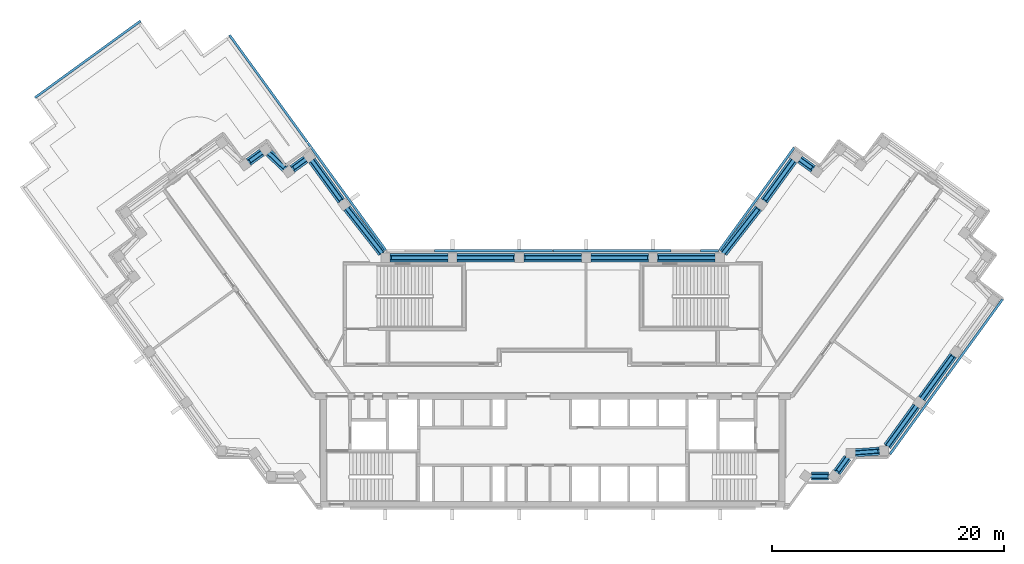
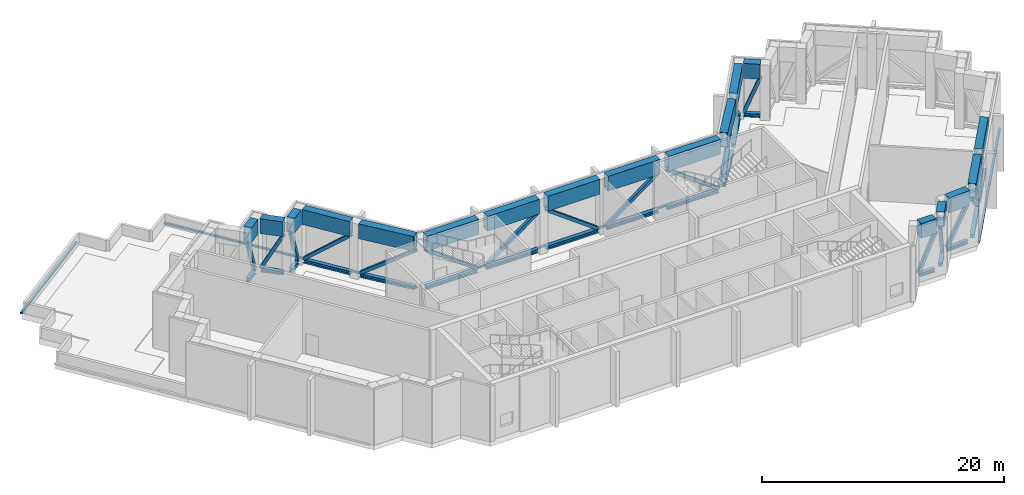
"""IFC4 building model written with IfcOpenShell, lengths in metres."""

from ifc_helpers import new_model, si_unit, direction, frame, origin, origin_2d, place, context, subcontext, project, spatial, rectangle, hollow_rectangle, i_section, extrude, material, material_profile, profile_set, type_object, element, aggregate, save


model = new_model("IFC4")

# Units and contexts
model_context = context("Model", 3, precision=1e-05, world=origin(), true_north=direction((0.0, 1.0)))
body_context = subcontext(model_context, "Body", "Model", "MODEL_VIEW")
ifc_project = project(units=[si_unit("LENGTHUNIT", "METRE"), si_unit("AREAUNIT", "SQUARE_METRE"), si_unit("VOLUMEUNIT", "CUBIC_METRE"), si_unit("PLANEANGLEUNIT", "RADIAN"), si_unit("MASSUNIT", "GRAM", prefix="KILO")], contexts=[model_context])

# Site, building, storey
site_placement = place(None, origin())
site = spatial("IfcSite", under=ifc_project, at=site_placement, CompositionType="ELEMENT")
building_placement = place(site_placement, origin())
building = spatial("IfcBuilding", under=site, at=building_placement, Name="Quipu Civic Tower", CompositionType="ELEMENT")
storey_1_placement = place(building_placement, frame((0.0, 0.0, 242.0)))
storey_1 = spatial("IfcBuildingStorey", under=building, at=storey_1_placement, Name="L57", CompositionType="ELEMENT", Elevation=242.0)

# Beams
ifc_material_1 = material(Name="Steel ASTM A992 Grade 50 (fy 345 MPa)", Category="steel")
ifc_material_profile_1 = material_profile(ifc_material_1, i_section(OverallWidth=0.368896484375, OverallDepth=0.356201171875, WebThickness=0.01123046875, FlangeThickness=0.01806640625, at=origin_2d()), Name="W360x134")
ifc_profile_set_1 = profile_set([ifc_material_profile_1], Name="Steel ASTM A992 Grade 50 (fy 345 MPa)")
beam_type_1 = type_object("IfcBeamType", Name="Belt truss bottom chord W360x134", PredefinedType="BEAM", material=ifc_profile_set_1)
beam_1_placement = place(storey_1_placement, frame((-18.208984375, 15.3984375, 0.278076171875), z_axis=(-0.58812775221, 0.808768042816, 0.0), x_axis=(-0.808768042816, -0.58812775221, 0.0)))
element("IfcBeam", 1, at=beam_1_placement, inside=storey_1, type_object=beam_type_1, Name="Truss bottom chord L57 W-IN-01 to T-Wi.0-W22", PredefinedType="BEAM", context=body_context, shape_type="SweptSolid", body=[
    extrude(i_section(OverallWidth=0.368896484375, OverallDepth=0.356201171875, WebThickness=0.01123046875, FlangeThickness=0.01806640625, at=origin_2d()), origin(), (0.0, 0.0, 1.0), 4.29443359375),
])
beam_2_placement = place(storey_1_placement, frame((-21.293701171875, 18.960205078125, 0.278076171875), z_axis=(-0.809452764948, -0.587184997524, 0.0), x_axis=(0.587184997524, -0.809452764948, 0.0)))
element("IfcBeam", 2, at=beam_2_placement, inside=storey_1, type_object=beam_type_1, Name="Truss bottom chord L57 T-Wi.0-W22 to T-Wi.1-W22", PredefinedType="BEAM", context=body_context, shape_type="SweptSolid", body=[
    extrude(i_section(OverallWidth=0.368896484375, OverallDepth=0.356201171875, WebThickness=0.01123046875, FlangeThickness=0.01806640625, at=origin_2d()), origin(), (0.0, 0.0, 1.0), 1.398193359375),
])
beam_3_placement = place(storey_1_placement, frame((-23.044189453125, 18.184326171875, 0.278076171875), z_axis=(-0.72506883804, 0.688676397232, 0.0), x_axis=(-0.688676397232, -0.72506883804, 0.0)))
element("IfcBeam", 3, at=beam_3_placement, inside=storey_1, type_object=beam_type_1, Name="Truss bottom chord L57 T-Wi.1-W22 to T-Wi.2-W22", PredefinedType="BEAM", context=body_context, shape_type="SweptSolid", body=[
    extrude(i_section(OverallWidth=0.368896484375, OverallDepth=0.356201171875, WebThickness=0.01123046875, FlangeThickness=0.01806640625, at=origin_2d()), origin(), (0.0, 0.0, 1.0), 1.93212890625),
])
beam_4_placement = place(storey_1_placement, frame((-25.0634765625, 19.5595703125, 0.278076171875), z_axis=(-0.808600329101, -0.588358315805, 0.0), x_axis=(0.588358315805, -0.808600329101, 0.0)))
element("IfcBeam", 4, at=beam_4_placement, inside=storey_1, type_object=beam_type_1, Name="Truss bottom chord L57 T-Wi.2-W22 to T-Wi.3-W22", PredefinedType="BEAM", context=body_context, shape_type="SweptSolid", body=[
    extrude(i_section(OverallWidth=0.368896484375, OverallDepth=0.356201171875, WebThickness=0.01123046875, FlangeThickness=0.01806640625, at=origin_2d()), origin(), (0.0, 0.0, 1.0), 1.400146484375),
])
beam_5_placement = place(storey_1_placement, frame((22.2861328125, -8.31494140625, 0.278076171875), z_axis=(1.0, 0.0, 0.0), x_axis=(0.0, 1.0, 0.0)))
element("IfcBeam", 5, at=beam_5_placement, inside=storey_1, type_object=beam_type_1, Name="Truss bottom chord L57 J-Eo.1 to J-Eo.2", PredefinedType="BEAM", context=body_context, shape_type="SweptSolid", body=[
    extrude(i_section(OverallWidth=0.368896484375, OverallDepth=0.356201171875, WebThickness=0.01123046875, FlangeThickness=0.01806640625, at=origin_2d()), origin(), (0.0, 0.0, 1.0), 1.454345703125),
])
beam_6_placement = place(storey_1_placement, frame((24.470458984375, -7.991455078125, 0.278076171875), z_axis=(0.588405601119, 0.808565920981, 0.0), x_axis=(-0.808565920981, 0.588405601119, 0.0)))
element("IfcBeam", 6, at=beam_6_placement, inside=storey_1, type_object=beam_type_1, Name="Truss bottom chord L57 J-Eo.2 to J-Eo.3", PredefinedType="BEAM", context=body_context, shape_type="SweptSolid", body=[
    extrude(i_section(OverallWidth=0.368896484375, OverallDepth=0.356201171875, WebThickness=0.01123046875, FlangeThickness=0.01806640625, at=origin_2d()), origin(), (0.0, 0.0, 1.0), 1.55126953125),
])
beam_7_placement = place(storey_1_placement, frame((26.074462890625, -6.307861328125, 0.278076171875), z_axis=(0.997372997143, 0.072436900614, 0.0), x_axis=(-0.072436900614, 0.997372997143, 0.0)))
element("IfcBeam", 7, at=beam_7_placement, inside=storey_1, type_object=beam_type_1, Name="Truss bottom chord L57 J-Eo.3 to J-Eo.4", PredefinedType="BEAM", context=body_context, shape_type="SweptSolid", body=[
    extrude(i_section(OverallWidth=0.368896484375, OverallDepth=0.356201171875, WebThickness=0.01123046875, FlangeThickness=0.01806640625, at=origin_2d()), origin(), (0.0, 0.0, 1.0), 2.055908203125),
])
beam_8_placement = place(storey_1_placement, frame((28.815673828125, -5.72998046875, 0.278076171875), z_axis=(0.58776850526, 0.809029161541, 0.0), x_axis=(-0.809029161541, 0.58776850526, 0.0)))
element("IfcBeam", 8, at=beam_8_placement, inside=storey_1, type_object=beam_type_1, Name="Truss bottom chord L57 J-Eo.4 to E-OUT-01", PredefinedType="BEAM", context=body_context, shape_type="SweptSolid", body=[
    extrude(i_section(OverallWidth=0.368896484375, OverallDepth=0.356201171875, WebThickness=0.01123046875, FlangeThickness=0.01806640625, at=origin_2d()), origin(), (0.0, 0.0, 1.0), 4.249267578125),
])
beam_9_placement = place(storey_1_placement, frame((31.783447265625, -1.64501953125, 0.278076171875), z_axis=(0.587796098864, 0.809009113768, 0.0), x_axis=(-0.809009113768, 0.587796098864, 0.0)))
element("IfcBeam", 9, at=beam_9_placement, inside=storey_1, type_object=beam_type_1, Name="Truss bottom chord L57 E-OUT-01 to E-OUT-02", PredefinedType="BEAM", context=body_context, shape_type="SweptSolid", body=[
    extrude(i_section(OverallWidth=0.368896484375, OverallDepth=0.356201171875, WebThickness=0.01123046875, FlangeThickness=0.01806640625, at=origin_2d()), origin(), (0.0, 0.0, 1.0), 4.60009765625),
])
beam_10_placement = place(storey_1_placement, frame((22.425537109375, 18.13916015625, 0.278076171875), z_axis=(-0.809452764948, 0.587184997524, 0.0), x_axis=(-0.587184997524, -0.809452764948, 0.0)))
element("IfcBeam", 10, at=beam_10_placement, inside=storey_1, type_object=beam_type_1, Name="Truss bottom chord L57 T-Ei.3-E22 to T-Ei.4-E22", PredefinedType="BEAM", context=body_context, shape_type="SweptSolid", body=[
    extrude(i_section(OverallWidth=0.368896484375, OverallDepth=0.356201171875, WebThickness=0.01123046875, FlangeThickness=0.01806640625, at=origin_2d()), origin(), (0.0, 0.0, 1.0), 1.398193359375),
])
beam_11_placement = place(storey_1_placement, frame((20.734619140625, 18.87158203125, 0.278076171875), z_axis=(-0.58812775221, -0.808768042816, 0.0), x_axis=(0.808768042816, -0.58812775221, 0.0)))
element("IfcBeam", 11, at=beam_11_placement, inside=storey_1, type_object=beam_type_1, Name="Truss bottom chord L57 T-Ei.4-E22 to E-IN-01", PredefinedType="BEAM", context=body_context, shape_type="SweptSolid", body=[
    extrude(i_section(OverallWidth=0.368896484375, OverallDepth=0.356201171875, WebThickness=0.01123046875, FlangeThickness=0.01806640625, at=origin_2d()), origin(), (0.0, 0.0, 1.0), 4.29443359375),
])
beam_12_placement = place(storey_1_placement, frame((17.72705078125, 14.759765625, 0.278076171875), z_axis=(-0.616090612932, -0.787675286306, 0.0), x_axis=(0.787675286306, -0.616090612932, 0.0)))
element("IfcBeam", 12, at=beam_12_placement, inside=storey_1, type_object=beam_type_1, Name="Truss bottom chord L57 E-IN-01 to J-Ei.0", PredefinedType="BEAM", context=body_context, shape_type="SweptSolid", body=[
    extrude(i_section(OverallWidth=0.368896484375, OverallDepth=0.356201171875, WebThickness=0.01123046875, FlangeThickness=0.01806640625, at=origin_2d()), origin(), (0.0, 0.0, 1.0), 4.900390625),
])
for number, where, z_axis, x_axis, name in (
    (13, (13.9951171875, 10.5, 0.278076171875), (-1.0, 0.0, 0.0), (0.0, -1.0, 0.0), "Truss bottom chord L57 J-Ei.0 to FRONT-01"),
    (14, (8.237060546875, 10.5, 0.278076171875), (-1.0, 0.0, 0.0), (0.0, -1.0, 0.0), "Truss bottom chord L57 FRONT-01 to FRONT-02"),
    (15, (2.47900390625, 10.5, 0.278076171875), (-1.0, 0.0, 0.0), (0.0, -1.0, 0.0), "Truss bottom chord L57 FRONT-02 to FRONT-03"),
    (16, (-3.279052734375, 10.5, 0.278076171875), (-1.0, 0.0, 0.0), (0.0, -1.0, 0.0), "Truss bottom chord L57 FRONT-03 to FRONT-04"),
    (17, (-9.037109375, 10.5, 0.278076171875), (-1.0, 0.0, 0.0), (0.0, -1.0, 0.0), "Truss bottom chord L57 FRONT-04 to J-Wi.0"),
):
    element("IfcBeam", number, at=place(storey_1_placement, frame(where, z_axis=z_axis, x_axis=x_axis)), inside=storey_1, type_object=beam_type_1, Name=name, PredefinedType="BEAM", context=body_context, shape_type="SweptSolid", body=[
        extrude(i_section(OverallWidth=0.368896484375, OverallDepth=0.356201171875, WebThickness=0.01123046875, FlangeThickness=0.01806640625, at=origin_2d()), origin(), (0.0, 0.0, 1.0), 4.9580078125),
    ])
beam_13_placement = place(storey_1_placement, frame((-14.7080078125, 10.89990234375, 0.278076171875), z_axis=(-0.616090612932, 0.787675286306, 0.0), x_axis=(-0.787675286306, -0.616090612932, 0.0)))
element("IfcBeam", 18, at=beam_13_placement, inside=storey_1, type_object=beam_type_1, Name="Truss bottom chord L57 J-Wi.0 to W-IN-01", PredefinedType="BEAM", context=body_context, shape_type="SweptSolid", body=[
    extrude(i_section(OverallWidth=0.368896484375, OverallDepth=0.356201171875, WebThickness=0.01123046875, FlangeThickness=0.01806640625, at=origin_2d()), origin(), (0.0, 0.0, 1.0), 4.900390625),
])

# Members
ifc_material_2 = material(Name="Steel ASTM A500 Grade C (fy 345 MPa)", Category="steel")
ifc_material_profile_2 = material_profile(ifc_material_2, hollow_rectangle(XDim=0.3046875, YDim=0.3046875, WallThickness=0.0126953125, at=origin_2d()), Name="HSS305x305x13")
ifc_profile_set_2 = profile_set([ifc_material_profile_2], Name="Steel ASTM A500 Grade C (fy 345 MPa)")
member_type_1 = type_object("IfcMemberType", Name="Belt truss diagonal HSS305x305x13", PredefinedType="BRACE", material=ifc_profile_set_2)
member_1_placement = place(storey_1_placement, frame((-18.208984375, 15.3984375, 4.10009765625), z_axis=(-0.448435267732, 0.616668933664, -0.64701254772), x_axis=(-0.808768042816, -0.58812775221, 0.0)))
element("IfcMember", 19, at=member_1_placement, inside=storey_1, type_object=member_type_1, Name="Truss diagonal L57 W-IN-01 to T-Wi.0-W22", PredefinedType="BRACE", context=body_context, shape_type="SweptSolid", body=[
    extrude(hollow_rectangle(XDim=0.3046875, YDim=0.3046875, WallThickness=0.0126953125, at=origin_2d()), origin(), (0.0, 0.0, 1.0), 5.632080078125),
])
member_2_placement = place(storey_1_placement, frame((-21.293701171875, 18.960205078125, 0.4560546875), z_axis=(-0.289983586938, -0.210356946262, 0.933627053199), x_axis=(0.587184997524, -0.809452764948, 0.0)))
element("IfcMember", 20, at=member_2_placement, inside=storey_1, type_object=member_type_1, Name="Truss diagonal L57 T-Wi.0-W22 to T-Wi.1-W22", PredefinedType="BRACE", context=body_context, shape_type="SweptSolid", body=[
    extrude(hollow_rectangle(XDim=0.3046875, YDim=0.3046875, WallThickness=0.0126953125, at=origin_2d()), origin(), (0.0, 0.0, 1.0), 3.903076171875),
])
member_3_placement = place(storey_1_placement, frame((-23.039306640625, 18.1796875, 4.10009765625), z_axis=(-0.341487868296, 0.324348463345, -0.8821474424), x_axis=(-0.688676903117, -0.725068357545, 0.0)))
element("IfcMember", 21, at=member_3_placement, inside=storey_1, type_object=member_type_1, Name="Truss diagonal L57 T-Wi.1-W22 to T-Wi.2-W22", PredefinedType="BRACE", context=body_context, shape_type="SweptSolid", body=[
    extrude(hollow_rectangle(XDim=0.3046875, YDim=0.3046875, WallThickness=0.0126953125, at=origin_2d()), origin(), (0.0, 0.0, 1.0), 4.130859375),
])
member_4_placement = place(storey_1_placement, frame((-25.0634765625, 19.5595703125, 0.4560546875), z_axis=(-0.289998838241, -0.211010584478, 0.933474802583), x_axis=(0.588358315805, -0.808600329101, 0.0)))
element("IfcMember", 22, at=member_4_placement, inside=storey_1, type_object=member_type_1, Name="Truss diagonal L57 T-Wi.2-W22 to T-Wi.3-W22", PredefinedType="BRACE", context=body_context, shape_type="SweptSolid", body=[
    extrude(hollow_rectangle(XDim=0.3046875, YDim=0.3046875, WallThickness=0.0126953125, at=origin_2d()), origin(), (0.0, 0.0, 1.0), 3.90380859375),
])
member_5_placement = place(storey_1_placement, frame((22.19189453125, -8.31494140625, 0.4560546875), z_axis=(0.411040080777, 0.0, 0.91161727276), x_axis=(0.0, 1.0, 0.0)))
element("IfcMember", 23, at=member_5_placement, inside=storey_1, type_object=member_type_1, Name="Truss diagonal L57 J-Eo.1 to J-Eo.2", PredefinedType="BRACE", context=body_context, shape_type="SweptSolid", body=[
    extrude(hollow_rectangle(XDim=0.3046875, YDim=0.3046875, WallThickness=0.0126953125, at=origin_2d()), origin(), (0.0, 0.0, 1.0), 3.997314453125),
])
member_6_placement = place(storey_1_placement, frame((24.470458984375, -7.991455078125, 4.10009765625), z_axis=(0.242211561608, 0.332880623616, -0.911330922248), x_axis=(-0.808601379045, 0.58835687283, 0.0)))
element("IfcMember", 24, at=member_6_placement, inside=storey_1, type_object=member_type_1, Name="Truss diagonal L57 J-Eo.2 to J-Eo.3", PredefinedType="BRACE", context=body_context, shape_type="SweptSolid", body=[
    extrude(hollow_rectangle(XDim=0.3046875, YDim=0.3046875, WallThickness=0.0126953125, at=origin_2d()), origin(), (0.0, 0.0, 1.0), 3.99853515625),
])
member_7_placement = place(storey_1_placement, frame((26.0732421875, -6.30810546875, 0.4560546875), z_axis=(0.490486937327, 0.035643139713, 0.870719318095), x_axis=(-0.072477769643, 0.997370028078, 0.0)))
element("IfcMember", 25, at=member_7_placement, inside=storey_1, type_object=member_type_1, Name="Truss diagonal L57 J-Eo.3 to J-Eo.4", PredefinedType="BRACE", context=body_context, shape_type="SweptSolid", body=[
    extrude(hollow_rectangle(XDim=0.3046875, YDim=0.3046875, WallThickness=0.0126953125, at=origin_2d()), origin(), (0.0, 0.0, 1.0), 4.18505859375),
])
member_8_placement = place(storey_1_placement, frame((28.760009765625, -5.806396484375, 4.10009765625), z_axis=(0.450314908392, 0.619796595085, -0.642704180786), x_axis=(-0.809013069445, 0.587790654457, 0.0)))
element("IfcMember", 26, at=member_8_placement, inside=storey_1, type_object=member_type_1, Name="Truss diagonal L57 J-Eo.4 to E-OUT-01", PredefinedType="BRACE", context=body_context, shape_type="SweptSolid", body=[
    extrude(hollow_rectangle(XDim=0.3046875, YDim=0.3046875, WallThickness=0.0126953125, at=origin_2d()), origin(), (0.0, 0.0, 1.0), 5.669921875),
])
member_9_placement = place(storey_1_placement, frame((31.783447265625, -1.64501953125, 0.4560546875), z_axis=(0.460742917466, 0.634140342296, 0.620952486329), x_axis=(-0.809009113768, 0.587796098864, 0.0)))
element("IfcMember", 27, at=member_9_placement, inside=storey_1, type_object=member_type_1, Name="Truss diagonal L57 E-OUT-01 to E-OUT-02", PredefinedType="BRACE", context=body_context, shape_type="SweptSolid", body=[
    extrude(hollow_rectangle(XDim=0.3046875, YDim=0.3046875, WallThickness=0.0126953125, at=origin_2d()), origin(), (0.0, 0.0, 1.0), 5.868408203125),
])
member_10_placement = place(storey_1_placement, frame((22.425537109375, 18.13916015625, 4.10009765625), z_axis=(-0.289983586938, 0.210356946262, -0.933627053199), x_axis=(-0.587184997524, -0.809452764948, 0.0)))
element("IfcMember", 28, at=member_10_placement, inside=storey_1, type_object=member_type_1, Name="Truss diagonal L57 T-Ei.3-E22 to T-Ei.4-E22", PredefinedType="BRACE", context=body_context, shape_type="SweptSolid", body=[
    extrude(hollow_rectangle(XDim=0.3046875, YDim=0.3046875, WallThickness=0.0126953125, at=origin_2d()), origin(), (0.0, 0.0, 1.0), 3.903076171875),
])
member_11_placement = place(storey_1_placement, frame((20.734619140625, 18.87158203125, 0.4560546875), z_axis=(-0.448435267732, -0.616668933664, 0.64701254772), x_axis=(0.808768042816, -0.58812775221, 0.0)))
element("IfcMember", 29, at=member_11_placement, inside=storey_1, type_object=member_type_1, Name="Truss diagonal L57 T-Ei.4-E22 to E-IN-01", PredefinedType="BRACE", context=body_context, shape_type="SweptSolid", body=[
    extrude(hollow_rectangle(XDim=0.3046875, YDim=0.3046875, WallThickness=0.0126953125, at=origin_2d()), origin(), (0.0, 0.0, 1.0), 5.632080078125),
])
member_12_placement = place(storey_1_placement, frame((17.72705078125, 14.760009765625, 4.10009765625), z_axis=(-0.498167316295, -0.636919409455, -0.588356176849), x_axis=(0.787679847042, -0.616084781961, 0.0)))
element("IfcMember", 30, at=member_12_placement, inside=storey_1, type_object=member_type_1, Name="Truss diagonal L57 E-IN-01 to J-Ei.0", PredefinedType="BRACE", context=body_context, shape_type="SweptSolid", body=[
    extrude(hollow_rectangle(XDim=0.3046875, YDim=0.3046875, WallThickness=0.0126953125, at=origin_2d()), origin(), (0.0, 0.0, 1.0), 6.193603515625),
])
for number, where, z_axis, x_axis, name in (
    (31, (13.9951171875, 10.5, 0.4560546875), (-0.805771298488, 0.0, 0.592226826927), (0.0, -1.0, 0.0), "Truss diagonal L57 J-Ei.0 to FRONT-01"),
    (32, (8.237060546875, 10.5, 4.10009765625), (-0.805771298488, 0.0, -0.592226826927), (0.0, -1.0, 0.0), "Truss diagonal L57 FRONT-01 to FRONT-02"),
    (33, (2.47900390625, 10.5, 0.4560546875), (-0.805771298488, 0.0, 0.592226826927), (0.0, -1.0, 0.0), "Truss diagonal L57 FRONT-02 to FRONT-03"),
    (34, (-3.279052734375, 10.5, 4.10009765625), (-0.805771298488, 0.0, -0.592226826927), (0.0, -1.0, 0.0), "Truss diagonal L57 FRONT-03 to FRONT-04"),
    (35, (-9.037109375, 10.5, 0.4560546875), (-0.805771298488, 0.0, 0.592226826927), (0.0, -1.0, 0.0), "Truss diagonal L57 FRONT-04 to J-Wi.0"),
):
    element("IfcMember", number, at=place(storey_1_placement, frame(where, z_axis=z_axis, x_axis=x_axis)), inside=storey_1, type_object=member_type_1, Name=name, PredefinedType="BRACE", context=body_context, shape_type="SweptSolid", body=[
        extrude(hollow_rectangle(XDim=0.3046875, YDim=0.3046875, WallThickness=0.0126953125, at=origin_2d()), origin(), (0.0, 0.0, 1.0), 6.153076171875),
    ])
member_13_placement = place(storey_1_placement, frame((-14.6416015625, 10.815185546875, 4.10009765625), z_axis=(-0.498167316295, 0.636919409455, -0.588356176849), x_axis=(-0.787679847042, -0.616084781961, 0.0)))
element("IfcMember", 36, at=member_13_placement, inside=storey_1, type_object=member_type_1, Name="Truss diagonal L57 J-Wi.0 to W-IN-01", PredefinedType="BRACE", context=body_context, shape_type="SweptSolid", body=[
    extrude(hollow_rectangle(XDim=0.3046875, YDim=0.3046875, WallThickness=0.0126953125, at=origin_2d()), origin(), (0.0, 0.0, 1.0), 6.193603515625),
])

# Beams
ifc_material_3 = material(Name="Steel ASTM A572 Grade 50 (fy 345 MPa)", Category="steel")
ifc_material_profile_3 = material_profile(ifc_material_3, hollow_rectangle(XDim=0.699951171875, YDim=1.5, WallThickness=0.050048828125, at=origin_2d()), Name="BX1500x700x50")
ifc_profile_set_3 = profile_set([ifc_material_profile_3], Name="Steel ASTM A572 Grade 50 (fy 345 MPa)")
beam_type_2 = type_object("IfcBeamType", Name="Belt truss top chord BX1500x700x50", PredefinedType="BEAM", material=ifc_profile_set_3)
beam_14_placement = place(storey_1_placement, frame((-18.208984375, 15.3984375, 4.85009765625), z_axis=(-0.58812775221, 0.808768042816, 0.0), x_axis=(-0.808768042816, -0.58812775221, 0.0)))
element("IfcBeam", 37, at=beam_14_placement, inside=storey_1, type_object=beam_type_2, Name="Truss top chord L57 W-IN-01 to T-Wi.0-W22", PredefinedType="BEAM", context=body_context, shape_type="SweptSolid", body=[
    extrude(hollow_rectangle(XDim=0.699951171875, YDim=1.5, WallThickness=0.050048828125, at=origin_2d()), origin(), (0.0, 0.0, 1.0), 4.29443359375),
])
beam_15_placement = place(storey_1_placement, frame((-21.293701171875, 18.960205078125, 4.85009765625), z_axis=(-0.809452764948, -0.587184997524, 0.0), x_axis=(0.587184997524, -0.809452764948, 0.0)))
element("IfcBeam", 38, at=beam_15_placement, inside=storey_1, type_object=beam_type_2, Name="Truss top chord L57 T-Wi.0-W22 to T-Wi.1-W22", PredefinedType="BEAM", context=body_context, shape_type="SweptSolid", body=[
    extrude(hollow_rectangle(XDim=0.699951171875, YDim=1.5, WallThickness=0.050048828125, at=origin_2d()), origin(), (0.0, 0.0, 1.0), 1.398193359375),
])
beam_16_placement = place(storey_1_placement, frame((-23.044189453125, 18.184326171875, 4.85009765625), z_axis=(-0.72506883804, 0.688676397232, 0.0), x_axis=(-0.688676397232, -0.72506883804, 0.0)))
element("IfcBeam", 39, at=beam_16_placement, inside=storey_1, type_object=beam_type_2, Name="Truss top chord L57 T-Wi.1-W22 to T-Wi.2-W22", PredefinedType="BEAM", context=body_context, shape_type="SweptSolid", body=[
    extrude(hollow_rectangle(XDim=0.699951171875, YDim=1.5, WallThickness=0.050048828125, at=origin_2d()), origin(), (0.0, 0.0, 1.0), 1.93212890625),
])
beam_17_placement = place(storey_1_placement, frame((-25.0634765625, 19.5595703125, 4.85009765625), z_axis=(-0.808600329101, -0.588358315805, 0.0), x_axis=(0.588358315805, -0.808600329101, 0.0)))
element("IfcBeam", 40, at=beam_17_placement, inside=storey_1, type_object=beam_type_2, Name="Truss top chord L57 T-Wi.2-W22 to T-Wi.3-W22", PredefinedType="BEAM", context=body_context, shape_type="SweptSolid", body=[
    extrude(hollow_rectangle(XDim=0.699951171875, YDim=1.5, WallThickness=0.050048828125, at=origin_2d()), origin(), (0.0, 0.0, 1.0), 1.400146484375),
])
beam_18_placement = place(storey_1_placement, frame((22.2861328125, -8.31494140625, 4.85009765625), z_axis=(1.0, 0.0, 0.0), x_axis=(0.0, 1.0, 0.0)))
element("IfcBeam", 41, at=beam_18_placement, inside=storey_1, type_object=beam_type_2, Name="Truss top chord L57 J-Eo.1 to J-Eo.2", PredefinedType="BEAM", context=body_context, shape_type="SweptSolid", body=[
    extrude(hollow_rectangle(XDim=0.699951171875, YDim=1.5, WallThickness=0.050048828125, at=origin_2d()), origin(), (0.0, 0.0, 1.0), 1.454345703125),
])
beam_19_placement = place(storey_1_placement, frame((24.470458984375, -7.991455078125, 4.85009765625), z_axis=(0.588405601119, 0.808565920981, 0.0), x_axis=(-0.808565920981, 0.588405601119, 0.0)))
element("IfcBeam", 42, at=beam_19_placement, inside=storey_1, type_object=beam_type_2, Name="Truss top chord L57 J-Eo.2 to J-Eo.3", PredefinedType="BEAM", context=body_context, shape_type="SweptSolid", body=[
    extrude(hollow_rectangle(XDim=0.699951171875, YDim=1.5, WallThickness=0.050048828125, at=origin_2d()), origin(), (0.0, 0.0, 1.0), 1.55126953125),
])
beam_20_placement = place(storey_1_placement, frame((26.074462890625, -6.307861328125, 4.85009765625), z_axis=(0.997372997143, 0.072436900614, 0.0), x_axis=(-0.072436900614, 0.997372997143, 0.0)))
element("IfcBeam", 43, at=beam_20_placement, inside=storey_1, type_object=beam_type_2, Name="Truss top chord L57 J-Eo.3 to J-Eo.4", PredefinedType="BEAM", context=body_context, shape_type="SweptSolid", body=[
    extrude(hollow_rectangle(XDim=0.699951171875, YDim=1.5, WallThickness=0.050048828125, at=origin_2d()), origin(), (0.0, 0.0, 1.0), 2.055908203125),
])
beam_21_placement = place(storey_1_placement, frame((28.815673828125, -5.72998046875, 4.85009765625), z_axis=(0.58776850526, 0.809029161541, 0.0), x_axis=(-0.809029161541, 0.58776850526, 0.0)))
element("IfcBeam", 44, at=beam_21_placement, inside=storey_1, type_object=beam_type_2, Name="Truss top chord L57 J-Eo.4 to E-OUT-01", PredefinedType="BEAM", context=body_context, shape_type="SweptSolid", body=[
    extrude(hollow_rectangle(XDim=0.699951171875, YDim=1.5, WallThickness=0.050048828125, at=origin_2d()), origin(), (0.0, 0.0, 1.0), 4.249267578125),
])
beam_22_placement = place(storey_1_placement, frame((31.783447265625, -1.64501953125, 4.85009765625), z_axis=(0.587796098864, 0.809009113768, 0.0), x_axis=(-0.809009113768, 0.587796098864, 0.0)))
element("IfcBeam", 45, at=beam_22_placement, inside=storey_1, type_object=beam_type_2, Name="Truss top chord L57 E-OUT-01 to E-OUT-02", PredefinedType="BEAM", context=body_context, shape_type="SweptSolid", body=[
    extrude(hollow_rectangle(XDim=0.699951171875, YDim=1.5, WallThickness=0.050048828125, at=origin_2d()), origin(), (0.0, 0.0, 1.0), 4.60009765625),
])
beam_23_placement = place(storey_1_placement, frame((22.425537109375, 18.13916015625, 4.85009765625), z_axis=(-0.809452764948, 0.587184997524, 0.0), x_axis=(-0.587184997524, -0.809452764948, 0.0)))
element("IfcBeam", 46, at=beam_23_placement, inside=storey_1, type_object=beam_type_2, Name="Truss top chord L57 T-Ei.3-E22 to T-Ei.4-E22", PredefinedType="BEAM", context=body_context, shape_type="SweptSolid", body=[
    extrude(hollow_rectangle(XDim=0.699951171875, YDim=1.5, WallThickness=0.050048828125, at=origin_2d()), origin(), (0.0, 0.0, 1.0), 1.398193359375),
])
beam_24_placement = place(storey_1_placement, frame((20.734619140625, 18.87158203125, 4.85009765625), z_axis=(-0.58812775221, -0.808768042816, 0.0), x_axis=(0.808768042816, -0.58812775221, 0.0)))
element("IfcBeam", 47, at=beam_24_placement, inside=storey_1, type_object=beam_type_2, Name="Truss top chord L57 T-Ei.4-E22 to E-IN-01", PredefinedType="BEAM", context=body_context, shape_type="SweptSolid", body=[
    extrude(hollow_rectangle(XDim=0.699951171875, YDim=1.5, WallThickness=0.050048828125, at=origin_2d()), origin(), (0.0, 0.0, 1.0), 4.29443359375),
])
beam_25_placement = place(storey_1_placement, frame((17.72705078125, 14.759765625, 4.85009765625), z_axis=(-0.616090612932, -0.787675286306, 0.0), x_axis=(0.787675286306, -0.616090612932, 0.0)))
element("IfcBeam", 48, at=beam_25_placement, inside=storey_1, type_object=beam_type_2, Name="Truss top chord L57 E-IN-01 to J-Ei.0", PredefinedType="BEAM", context=body_context, shape_type="SweptSolid", body=[
    extrude(hollow_rectangle(XDim=0.699951171875, YDim=1.5, WallThickness=0.050048828125, at=origin_2d()), origin(), (0.0, 0.0, 1.0), 4.900390625),
])
for number, where, z_axis, x_axis, name in (
    (49, (13.9951171875, 10.5, 4.85009765625), (-1.0, 0.0, 0.0), (0.0, -1.0, 0.0), "Truss top chord L57 J-Ei.0 to FRONT-01"),
    (50, (8.237060546875, 10.5, 4.85009765625), (-1.0, 0.0, 0.0), (0.0, -1.0, 0.0), "Truss top chord L57 FRONT-01 to FRONT-02"),
    (51, (2.47900390625, 10.5, 4.85009765625), (-1.0, 0.0, 0.0), (0.0, -1.0, 0.0), "Truss top chord L57 FRONT-02 to FRONT-03"),
    (52, (-3.279052734375, 10.5, 4.85009765625), (-1.0, 0.0, 0.0), (0.0, -1.0, 0.0), "Truss top chord L57 FRONT-03 to FRONT-04"),
    (53, (-9.037109375, 10.5, 4.85009765625), (-1.0, 0.0, 0.0), (0.0, -1.0, 0.0), "Truss top chord L57 FRONT-04 to J-Wi.0"),
):
    element("IfcBeam", number, at=place(storey_1_placement, frame(where, z_axis=z_axis, x_axis=x_axis)), inside=storey_1, type_object=beam_type_2, Name=name, PredefinedType="BEAM", context=body_context, shape_type="SweptSolid", body=[
        extrude(hollow_rectangle(XDim=0.699951171875, YDim=1.5, WallThickness=0.050048828125, at=origin_2d()), origin(), (0.0, 0.0, 1.0), 4.9580078125),
    ])
beam_26_placement = place(storey_1_placement, frame((-14.7080078125, 10.89990234375, 4.85009765625), z_axis=(-0.616090612932, 0.787675286306, 0.0), x_axis=(-0.787675286306, -0.616090612932, 0.0)))
element("IfcBeam", 54, at=beam_26_placement, inside=storey_1, type_object=beam_type_2, Name="Truss top chord L57 J-Wi.0 to W-IN-01", PredefinedType="BEAM", context=body_context, shape_type="SweptSolid", body=[
    extrude(hollow_rectangle(XDim=0.699951171875, YDim=1.5, WallThickness=0.050048828125, at=origin_2d()), origin(), (0.0, 0.0, 1.0), 4.900390625),
])

# Storey
storey_2_placement = place(building_placement, frame((0.0, 0.0, 234.0)))
storey_2 = spatial("IfcBuildingStorey", under=building, at=storey_2_placement, Name="L55", CompositionType="ELEMENT", Elevation=234.0)

# Curtain wall, members
ifc_material_4 = material(Name="Insulated glass unit", Category="glass")
curtain_wall_type = type_object("IfcCurtainWallType", Name="Office curtain wall CW1", PredefinedType="NOTDEFINED", material=ifc_material_4)
curtain_wall_1_placement = place(storey_2_placement, origin())
curtain_wall_1 = element("IfcCurtainWall", 55, at=curtain_wall_1_placement, inside=storey_2, type_object=curtain_wall_type, Name="Office curtain wall CW1 L54 run 1", PredefinedType="NOTDEFINED")
ifc_material_5 = material(Name="Anodised aluminium", Category="aluminium")
ifc_material_profile_4 = material_profile(ifc_material_5, rectangle(XDim=0.199951171875, YDim=0.159912109375, at=origin_2d()), Name="RECT 200x160")
ifc_profile_set_4 = profile_set([ifc_material_profile_4], Name="Anodised aluminium")
member_type_2 = type_object("IfcMemberType", Name="Transom CW1", PredefinedType="USERDEFINED", material=ifc_profile_set_4)
member_14_placement = place(storey_1_placement, frame((-14.39111328125, 11.164794921875, 0.0), z_axis=(-0.587799878401, 0.809006367683, 0.0), x_axis=(-0.809006367683, -0.587799878401, 0.0)))
member_14 = element("IfcMember", 56, at=member_14_placement, inside=storey_1, type_object=member_type_2, Name="CW1 transom 1.4", ObjectType="TRANSOM", PredefinedType="USERDEFINED", context=body_context, shape_type="SweptSolid", body=[
    extrude(rectangle(XDim=0.199951171875, YDim=0.159912109375, at=origin_2d()), origin(), (0.0, 0.0, 1.0), 11.402099609375),
])
member_15_placement = place(storey_1_placement, frame((-21.140380859375, 20.453857421875, 0.0), z_axis=(-0.587775682251, 0.809023947331, 0.0), x_axis=(-0.809023947331, -0.587775682251, 0.0)))
member_15 = element("IfcMember", 57, at=member_15_placement, inside=storey_1, type_object=member_type_2, Name="CW1 transom 2.4", ObjectType="TRANSOM", PredefinedType="USERDEFINED", context=body_context, shape_type="SweptSolid", body=[
    extrude(rectangle(XDim=0.199951171875, YDim=0.159912109375, at=origin_2d()), origin(), (0.0, 0.0, 1.0), 11.402099609375),
])
aggregate(curtain_wall_1, [member_14, member_15])

# Curtain wall, member
curtain_wall_2_placement = place(storey_2_placement, origin())
curtain_wall_2 = element("IfcCurtainWall", 58, at=curtain_wall_2_placement, inside=storey_2, type_object=curtain_wall_type, Name="Office curtain wall CW1 L54 run 6", PredefinedType="NOTDEFINED")
member_16_placement = place(storey_1_placement, frame((-35.496826171875, 30.890869140625, 0.0), z_axis=(-0.809014959561, -0.587788052963, 0.0), x_axis=(0.587788052963, -0.809014959561, 0.0)))
member_16 = element("IfcMember", 59, at=member_16_placement, inside=storey_1, type_object=member_type_2, Name="CW1 transom 1.4", ObjectType="TRANSOM", PredefinedType="USERDEFINED", context=body_context, shape_type="SweptSolid", body=[
    extrude(rectangle(XDim=0.199951171875, YDim=0.159912109375, at=origin_2d()), origin(), (0.0, 0.0, 1.0), 11.239990234375),
])
aggregate(curtain_wall_2, [member_16])

curtain_wall_3_placement = place(storey_2_placement, origin())
curtain_wall_3 = element("IfcCurtainWall", 60, at=curtain_wall_3_placement, inside=storey_2, type_object=curtain_wall_type, Name="Office curtain wall CW1 L54 run 26", PredefinedType="NOTDEFINED")
member_17_placement = place(storey_1_placement, frame((20.788818359375, 19.97021484375, 0.0), z_axis=(-0.587796859727, -0.809008560953, 0.0), x_axis=(0.809008560953, -0.587796859727, 0.0)))
member_17 = element("IfcMember", 61, at=member_17_placement, inside=storey_1, type_object=member_type_2, Name="CW1 transom 1.4", ObjectType="TRANSOM", PredefinedType="USERDEFINED", context=body_context, shape_type="SweptSolid", body=[
    extrude(rectangle(XDim=0.199951171875, YDim=0.159912109375, at=origin_2d()), origin(), (0.0, 0.0, 1.0), 10.88427734375),
])
aggregate(curtain_wall_3, [member_17])

curtain_wall_4_placement = place(storey_2_placement, origin())
curtain_wall_4 = element("IfcCurtainWall", 62, at=curtain_wall_4_placement, inside=storey_2, type_object=curtain_wall_type, Name="Office curtain wall CW1 L54 run 27", PredefinedType="NOTDEFINED")
member_18_placement = place(storey_1_placement, frame((14.26416015625, 11.10009765625, 0.0), z_axis=(-1.0, 0.0, 0.0), x_axis=(0.0, -1.0, 0.0)))
member_18 = element("IfcMember", 63, at=member_18_placement, inside=storey_1, type_object=member_type_2, Name="CW1 transom 1.4", ObjectType="TRANSOM", PredefinedType="USERDEFINED", context=body_context, shape_type="SweptSolid", body=[
    extrude(rectangle(XDim=0.199951171875, YDim=0.159912109375, at=origin_2d()), origin(), (0.0, 0.0, 1.0), 1.529052734375),
])
aggregate(curtain_wall_4, [member_18])

# Curtain wall, members
curtain_wall_5_placement = place(storey_2_placement, origin())
curtain_wall_5 = element("IfcCurtainWall", 64, at=curtain_wall_5_placement, inside=storey_2, type_object=curtain_wall_type, Name="Office curtain wall CW1 L54 run 29", PredefinedType="NOTDEFINED")
member_19_placement = place(storey_1_placement, frame((10.18359375, 11.10009765625, 0.0), z_axis=(-1.0, 0.0, 0.0), x_axis=(0.0, -1.0, 0.0)))
member_19 = element("IfcMember", 65, at=member_19_placement, inside=storey_1, type_object=member_type_2, Name="CW1 transom 1.4", ObjectType="TRANSOM", PredefinedType="USERDEFINED", context=body_context, shape_type="SweptSolid", body=[
    extrude(rectangle(XDim=0.199951171875, YDim=0.159912109375, at=origin_2d()), origin(), (0.0, 0.0, 1.0), 10.1435546875),
])
member_20_placement = place(storey_1_placement, frame((-0.0400390625, 11.10009765625, 0.0), z_axis=(-1.0, 0.0, 0.0), x_axis=(0.0, -1.0, 0.0)))
member_20 = element("IfcMember", 66, at=member_20_placement, inside=storey_1, type_object=member_type_2, Name="CW1 transom 2.4", ObjectType="TRANSOM", PredefinedType="USERDEFINED", context=body_context, shape_type="SweptSolid", body=[
    extrude(rectangle(XDim=0.199951171875, YDim=0.159912109375, at=origin_2d()), origin(), (0.0, 0.0, 1.0), 10.1435546875),
])
aggregate(curtain_wall_5, [member_19, member_20])

# Storey
storey_3_placement = place(building_placement, frame((0.0, 0.0, 238.0)))
storey_3 = spatial("IfcBuildingStorey", under=building, at=storey_3_placement, Name="L56", CompositionType="ELEMENT", Elevation=238.0)

# Curtain wall, members
curtain_wall_6_placement = place(storey_3_placement, origin())
curtain_wall_6 = element("IfcCurtainWall", 67, at=curtain_wall_6_placement, inside=storey_3, type_object=curtain_wall_type, Name="Office curtain wall CW1 L55 run 4", PredefinedType="NOTDEFINED")
member_21_placement = place(storey_1_placement, frame((29.052978515625, -6.424072265625, 0.0), z_axis=(0.587780770372, 0.809020250662, 0.0), x_axis=(-0.809020250662, 0.587780770372, 0.0)))
member_21 = element("IfcMember", 68, at=member_21_placement, inside=storey_1, type_object=member_type_2, Name="CW1 transom 1.3", ObjectType="TRANSOM", PredefinedType="USERDEFINED", context=body_context, shape_type="SweptSolid", body=[
    extrude(rectangle(XDim=0.199951171875, YDim=0.159912109375, at=origin_2d()), origin(), (0.0, 0.0, 1.0), 8.2080078125),
])
member_22_placement = place(storey_1_placement, frame((33.924560546875, 0.281005859375, 0.0), z_axis=(0.587780770372, 0.809020250662, 0.0), x_axis=(-0.809020250662, 0.587780770372, 0.0)))
member_22 = element("IfcMember", 69, at=member_22_placement, inside=storey_1, type_object=member_type_2, Name="CW1 transom 2.3", ObjectType="TRANSOM", PredefinedType="USERDEFINED", context=body_context, shape_type="SweptSolid", body=[
    extrude(rectangle(XDim=0.199951171875, YDim=0.159912109375, at=origin_2d()), origin(), (0.0, 0.0, 1.0), 8.2080078125),
])
aggregate(curtain_wall_6, [member_21, member_22])

save(model, "model.ifc")
